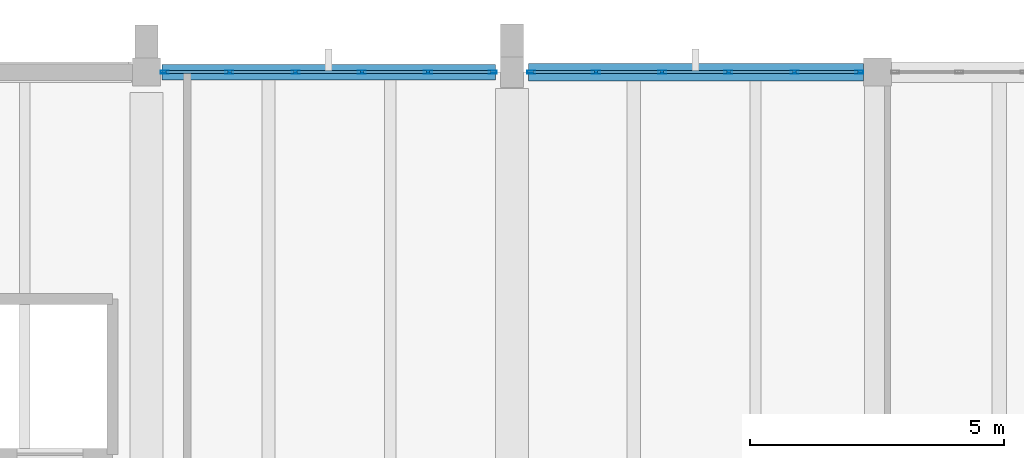
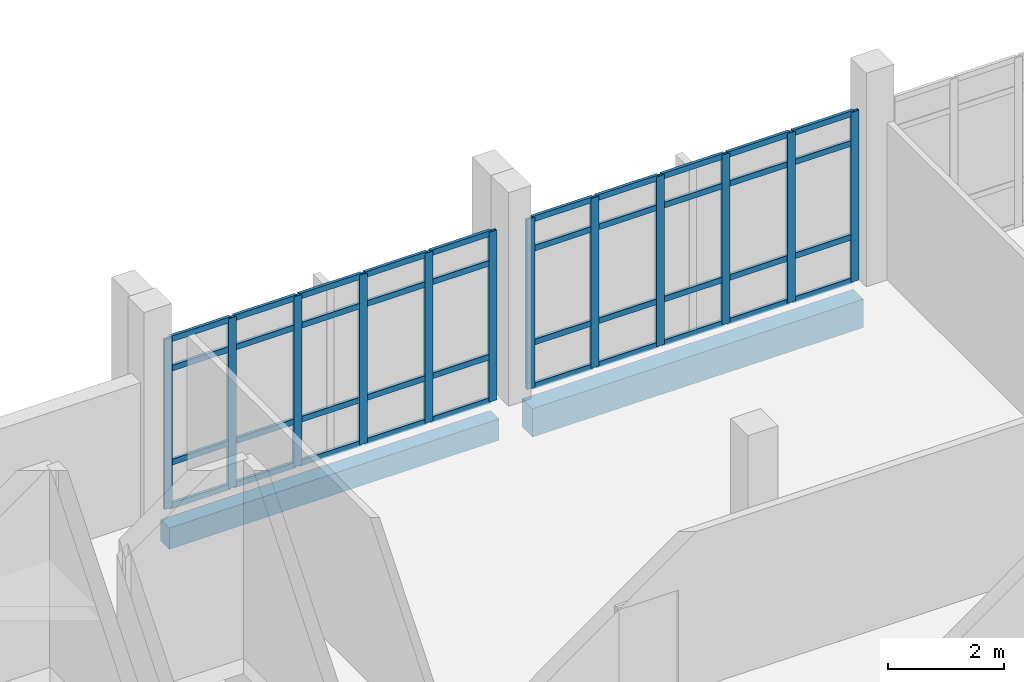
# One storey, part 42 of 62: 52 members, 2 beams, 2 elements without a shape of their own.
"""IFC4 building model written with IfcOpenShell, lengths in metres."""

from ifc_helpers import new_model, si_unit, direction, frame, origin, origin_2d, place, context, subcontext, project, spatial, rectangle, hollow_rectangle, extrude, material, material_profile, profile_set, type_object, element, aggregate, save


model = new_model("IFC4")

# Units and contexts
model_context = context("Model", 3, precision=1e-05, world=origin(), true_north=direction((0.0, 1.0)))
body_context = subcontext(model_context, "Body", "Model", "MODEL_VIEW")
ifc_project = project(units=[si_unit("LENGTHUNIT", "METRE"), si_unit("AREAUNIT", "SQUARE_METRE"), si_unit("VOLUMEUNIT", "CUBIC_METRE"), si_unit("PLANEANGLEUNIT", "RADIAN"), si_unit("MASSUNIT", "GRAM", prefix="KILO")], contexts=[model_context])

# Site, building, storey
site_placement = place(None, origin())
site = spatial("IfcSite", under=ifc_project, at=site_placement, CompositionType="ELEMENT")
building_placement = place(site_placement, origin())
building = spatial("IfcBuilding", under=site, at=building_placement, Name="Kalluvel Institute of Natural Sciences", CompositionType="ELEMENT")
storey_placement = place(building_placement, frame((0.0, 0.0, 27.89990234375)))
storey = spatial("IfcBuildingStorey", under=building, at=storey_placement, Name="L06", CompositionType="ELEMENT", Elevation=27.89990234375)

# Curtain wall, members
ifc_material_1 = material(Name="Aluminium AW-6063 T6", Category="aluminium")
curtain_wall_type = type_object("IfcCurtainWallType", Name="CW-WET-45", PredefinedType="USERDEFINED", material=ifc_material_1)
curtain_wall_1_placement = place(storey_placement, origin())
curtain_wall_1 = element("IfcCurtainWall", 1, at=curtain_wall_1_placement, inside=storey, type_object=curtain_wall_type, Name="L06 Gothic lancet curtain wall CWA-L06-X791-Y1280", ObjectType="UNITISED LANCET FACADE", PredefinedType="USERDEFINED")
ifc_material_profile_1 = material_profile(ifc_material_1, hollow_rectangle(XDim=0.06005859375, YDim=0.159912109375, WallThickness=0.00390625, at=origin_2d()), Name="CWM 60x160")
ifc_profile_set_1 = profile_set([ifc_material_profile_1], Name="Aluminium AW-6063 T6")
member_type_1 = type_object("IfcMemberType", Name="CWM-60x160", PredefinedType="MULLION", material=ifc_profile_set_1)
member_1_placement = place(storey_placement, frame((79.155029296875, 128.0, 0.0), z_axis=(0.0, 0.0, 1.0), x_axis=(0.0, 1.0, 0.0)))
member_1 = element("IfcMember", 2, at=member_1_placement, type_object=member_type_1, Name="CW-01 mullion 1", PredefinedType="MULLION", context=body_context, shape_type="SweptSolid", body=[
    extrude(hollow_rectangle(XDim=0.06005859375, YDim=0.159912109375, WallThickness=0.00390625, at=origin_2d()), origin(), (0.0, 0.0, 1.0), 3.580078125),
])
member_2_placement = place(storey_placement, frame((80.429931640625, 128.0, 0.0), z_axis=(0.0, 0.0, 1.0), x_axis=(0.0, 1.0, 0.0)))
member_2 = element("IfcMember", 3, at=member_2_placement, type_object=member_type_1, Name="CW-01 mullion 2", PredefinedType="MULLION", context=body_context, shape_type="SweptSolid", body=[
    extrude(hollow_rectangle(XDim=0.06005859375, YDim=0.159912109375, WallThickness=0.00390625, at=origin_2d()), origin(), (0.0, 0.0, 1.0), 3.580078125),
])
member_3_placement = place(storey_placement, frame((81.735107421875, 128.0, 0.0), z_axis=(0.0, 0.0, 1.0), x_axis=(0.0, 1.0, 0.0)))
member_3 = element("IfcMember", 4, at=member_3_placement, type_object=member_type_1, Name="CW-01 mullion 3", PredefinedType="MULLION", context=body_context, shape_type="SweptSolid", body=[
    extrude(hollow_rectangle(XDim=0.06005859375, YDim=0.159912109375, WallThickness=0.00390625, at=origin_2d()), origin(), (0.0, 0.0, 1.0), 3.580078125),
])
member_4_placement = place(storey_placement, frame((83.0400390625, 128.0, 0.0), z_axis=(0.0, 0.0, 1.0), x_axis=(0.0, 1.0, 0.0)))
member_4 = element("IfcMember", 5, at=member_4_placement, type_object=member_type_1, Name="CW-01 mullion 4", PredefinedType="MULLION", context=body_context, shape_type="SweptSolid", body=[
    extrude(hollow_rectangle(XDim=0.06005859375, YDim=0.159912109375, WallThickness=0.00390625, at=origin_2d()), origin(), (0.0, 0.0, 1.0), 3.580078125),
])
member_5_placement = place(storey_placement, frame((84.344970703125, 128.0, 0.0), z_axis=(0.0, 0.0, 1.0), x_axis=(0.0, 1.0, 0.0)))
member_5 = element("IfcMember", 6, at=member_5_placement, type_object=member_type_1, Name="CW-01 mullion 5", PredefinedType="MULLION", context=body_context, shape_type="SweptSolid", body=[
    extrude(hollow_rectangle(XDim=0.06005859375, YDim=0.159912109375, WallThickness=0.00390625, at=origin_2d()), origin(), (0.0, 0.0, 1.0), 3.580078125),
])
member_6_placement = place(storey_placement, frame((85.6201171875, 128.0, 0.0), z_axis=(0.0, 0.0, 1.0), x_axis=(0.0, 1.0, 0.0)))
member_6 = element("IfcMember", 7, at=member_6_placement, type_object=member_type_1, Name="CW-01 mullion 6", PredefinedType="MULLION", context=body_context, shape_type="SweptSolid", body=[
    extrude(hollow_rectangle(XDim=0.06005859375, YDim=0.159912109375, WallThickness=0.00390625, at=origin_2d()), origin(), (0.0, 0.0, 1.0), 3.580078125),
])

curtain_wall_2_placement = place(storey_placement, origin())
curtain_wall_2 = element("IfcCurtainWall", 8, at=curtain_wall_2_placement, inside=storey, type_object=curtain_wall_type, Name="L06 Gothic lancet curtain wall CWA-L06-X864-Y1280", ObjectType="UNITISED LANCET FACADE", PredefinedType="USERDEFINED")
member_7_placement = place(storey_placement, frame((86.3798828125, 128.0, 0.0), z_axis=(0.0, 0.0, 1.0), x_axis=(0.0, 1.0, 0.0)))
member_7 = element("IfcMember", 9, at=member_7_placement, type_object=member_type_1, Name="CW-01 mullion 1", PredefinedType="MULLION", context=body_context, shape_type="SweptSolid", body=[
    extrude(hollow_rectangle(XDim=0.06005859375, YDim=0.159912109375, WallThickness=0.00390625, at=origin_2d()), origin(), (0.0, 0.0, 1.0), 3.580078125),
])
member_8_placement = place(storey_placement, frame((87.655029296875, 128.0, 0.0), z_axis=(0.0, 0.0, 1.0), x_axis=(0.0, 1.0, 0.0)))
member_8 = element("IfcMember", 10, at=member_8_placement, type_object=member_type_1, Name="CW-01 mullion 2", PredefinedType="MULLION", context=body_context, shape_type="SweptSolid", body=[
    extrude(hollow_rectangle(XDim=0.06005859375, YDim=0.159912109375, WallThickness=0.00390625, at=origin_2d()), origin(), (0.0, 0.0, 1.0), 3.580078125),
])
member_9_placement = place(storey_placement, frame((88.9599609375, 128.0, 0.0), z_axis=(0.0, 0.0, 1.0), x_axis=(0.0, 1.0, 0.0)))
member_9 = element("IfcMember", 11, at=member_9_placement, type_object=member_type_1, Name="CW-01 mullion 3", PredefinedType="MULLION", context=body_context, shape_type="SweptSolid", body=[
    extrude(hollow_rectangle(XDim=0.06005859375, YDim=0.159912109375, WallThickness=0.00390625, at=origin_2d()), origin(), (0.0, 0.0, 1.0), 3.580078125),
])
member_10_placement = place(storey_placement, frame((90.264892578125, 128.0, 0.0), z_axis=(0.0, 0.0, 1.0), x_axis=(0.0, 1.0, 0.0)))
member_10 = element("IfcMember", 12, at=member_10_placement, type_object=member_type_1, Name="CW-01 mullion 4", PredefinedType="MULLION", context=body_context, shape_type="SweptSolid", body=[
    extrude(hollow_rectangle(XDim=0.06005859375, YDim=0.159912109375, WallThickness=0.00390625, at=origin_2d()), origin(), (0.0, 0.0, 1.0), 3.580078125),
])
member_11_placement = place(storey_placement, frame((91.570068359375, 128.0, 0.0), z_axis=(0.0, 0.0, 1.0), x_axis=(0.0, 1.0, 0.0)))
member_11 = element("IfcMember", 13, at=member_11_placement, type_object=member_type_1, Name="CW-01 mullion 5", PredefinedType="MULLION", context=body_context, shape_type="SweptSolid", body=[
    extrude(hollow_rectangle(XDim=0.06005859375, YDim=0.159912109375, WallThickness=0.00390625, at=origin_2d()), origin(), (0.0, 0.0, 1.0), 3.580078125),
])
member_12_placement = place(storey_placement, frame((92.844970703125, 128.0, 0.0), z_axis=(0.0, 0.0, 1.0), x_axis=(0.0, 1.0, 0.0)))
member_12 = element("IfcMember", 14, at=member_12_placement, type_object=member_type_1, Name="CW-01 mullion 6", PredefinedType="MULLION", context=body_context, shape_type="SweptSolid", body=[
    extrude(hollow_rectangle(XDim=0.06005859375, YDim=0.159912109375, WallThickness=0.00390625, at=origin_2d()), origin(), (0.0, 0.0, 1.0), 3.580078125),
])

# Member
ifc_material_profile_2 = material_profile(ifc_material_1, hollow_rectangle(XDim=0.06005859375, YDim=0.1201171875, WallThickness=0.00390625, at=origin_2d()), Name="CWT 60x120")
ifc_profile_set_2 = profile_set([ifc_material_profile_2], Name="Aluminium AW-6063 T6")
member_type_2 = type_object("IfcMemberType", Name="CWT-60x120", PredefinedType="USERDEFINED", material=ifc_profile_set_2)
member_13_placement = place(storey_placement, frame((79.18505859375, 128.0, 0.030029296875), z_axis=(1.0, 0.0, 0.0), x_axis=(0.0, 1.0, 0.0)))
member_13 = element("IfcMember", 15, at=member_13_placement, type_object=member_type_2, Name="CW-01 transom 1.1", ObjectType="TRANSOM", PredefinedType="USERDEFINED", context=body_context, shape_type="SweptSolid", body=[
    extrude(hollow_rectangle(XDim=0.06005859375, YDim=0.1201171875, WallThickness=0.00390625, at=origin_2d()), origin(), (0.0, 0.0, 1.0), 1.21484375),
])

member_14_placement = place(storey_placement, frame((79.18505859375, 128.0, 0.9501953125), z_axis=(1.0, 0.0, 0.0), x_axis=(0.0, 1.0, 0.0)))
member_14 = element("IfcMember", 16, at=member_14_placement, type_object=member_type_2, Name="CW-01 transom 1.2", ObjectType="TRANSOM", PredefinedType="USERDEFINED", context=body_context, shape_type="SweptSolid", body=[
    extrude(hollow_rectangle(XDim=0.06005859375, YDim=0.1201171875, WallThickness=0.00390625, at=origin_2d()), origin(), (0.0, 0.0, 1.0), 1.21484375),
])

member_15_placement = place(storey_placement, frame((79.18505859375, 128.0, 2.93017578125), z_axis=(1.0, 0.0, 0.0), x_axis=(0.0, 1.0, 0.0)))
member_15 = element("IfcMember", 17, at=member_15_placement, type_object=member_type_2, Name="CW-01 transom 1.3", ObjectType="TRANSOM", PredefinedType="USERDEFINED", context=body_context, shape_type="SweptSolid", body=[
    extrude(hollow_rectangle(XDim=0.06005859375, YDim=0.1201171875, WallThickness=0.00390625, at=origin_2d()), origin(), (0.0, 0.0, 1.0), 1.21484375),
])

member_16_placement = place(storey_placement, frame((79.18505859375, 128.0, 3.550048828125), z_axis=(1.0, 0.0, 0.0), x_axis=(0.0, 1.0, 0.0)))
member_16 = element("IfcMember", 18, at=member_16_placement, type_object=member_type_2, Name="CW-01 transom 1.4", ObjectType="TRANSOM", PredefinedType="USERDEFINED", context=body_context, shape_type="SweptSolid", body=[
    extrude(hollow_rectangle(XDim=0.06005859375, YDim=0.1201171875, WallThickness=0.00390625, at=origin_2d()), origin(), (0.0, 0.0, 1.0), 1.21484375),
])

member_17_placement = place(storey_placement, frame((80.4599609375, 128.0, 0.030029296875), z_axis=(1.0, 0.0, 0.0), x_axis=(0.0, 1.0, 0.0)))
member_17 = element("IfcMember", 19, at=member_17_placement, type_object=member_type_2, Name="CW-01 transom 2.1", ObjectType="TRANSOM", PredefinedType="USERDEFINED", context=body_context, shape_type="SweptSolid", body=[
    extrude(hollow_rectangle(XDim=0.06005859375, YDim=0.1201171875, WallThickness=0.00390625, at=origin_2d()), origin(), (0.0, 0.0, 1.0), 1.2451171875),
])

member_18_placement = place(storey_placement, frame((80.4599609375, 128.0, 0.9501953125), z_axis=(1.0, 0.0, 0.0), x_axis=(0.0, 1.0, 0.0)))
member_18 = element("IfcMember", 20, at=member_18_placement, type_object=member_type_2, Name="CW-01 transom 2.2", ObjectType="TRANSOM", PredefinedType="USERDEFINED", context=body_context, shape_type="SweptSolid", body=[
    extrude(hollow_rectangle(XDim=0.06005859375, YDim=0.1201171875, WallThickness=0.00390625, at=origin_2d()), origin(), (0.0, 0.0, 1.0), 1.2451171875),
])

member_19_placement = place(storey_placement, frame((80.4599609375, 128.0, 2.93017578125), z_axis=(1.0, 0.0, 0.0), x_axis=(0.0, 1.0, 0.0)))
member_19 = element("IfcMember", 21, at=member_19_placement, type_object=member_type_2, Name="CW-01 transom 2.3", ObjectType="TRANSOM", PredefinedType="USERDEFINED", context=body_context, shape_type="SweptSolid", body=[
    extrude(hollow_rectangle(XDim=0.06005859375, YDim=0.1201171875, WallThickness=0.00390625, at=origin_2d()), origin(), (0.0, 0.0, 1.0), 1.2451171875),
])

member_20_placement = place(storey_placement, frame((80.4599609375, 128.0, 3.550048828125), z_axis=(1.0, 0.0, 0.0), x_axis=(0.0, 1.0, 0.0)))
member_20 = element("IfcMember", 22, at=member_20_placement, type_object=member_type_2, Name="CW-01 transom 2.4", ObjectType="TRANSOM", PredefinedType="USERDEFINED", context=body_context, shape_type="SweptSolid", body=[
    extrude(hollow_rectangle(XDim=0.06005859375, YDim=0.1201171875, WallThickness=0.00390625, at=origin_2d()), origin(), (0.0, 0.0, 1.0), 1.2451171875),
])

member_21_placement = place(storey_placement, frame((81.764892578125, 128.0, 0.030029296875), z_axis=(1.0, 0.0, 0.0), x_axis=(0.0, 1.0, 0.0)))
member_21 = element("IfcMember", 23, at=member_21_placement, type_object=member_type_2, Name="CW-01 transom 3.1", ObjectType="TRANSOM", PredefinedType="USERDEFINED", context=body_context, shape_type="SweptSolid", body=[
    extrude(hollow_rectangle(XDim=0.06005859375, YDim=0.1201171875, WallThickness=0.00390625, at=origin_2d()), origin(), (0.0, 0.0, 1.0), 1.2451171875),
])

member_22_placement = place(storey_placement, frame((81.764892578125, 128.0, 0.9501953125), z_axis=(1.0, 0.0, 0.0), x_axis=(0.0, 1.0, 0.0)))
member_22 = element("IfcMember", 24, at=member_22_placement, type_object=member_type_2, Name="CW-01 transom 3.2", ObjectType="TRANSOM", PredefinedType="USERDEFINED", context=body_context, shape_type="SweptSolid", body=[
    extrude(hollow_rectangle(XDim=0.06005859375, YDim=0.1201171875, WallThickness=0.00390625, at=origin_2d()), origin(), (0.0, 0.0, 1.0), 1.2451171875),
])

member_23_placement = place(storey_placement, frame((81.764892578125, 128.0, 2.93017578125), z_axis=(1.0, 0.0, 0.0), x_axis=(0.0, 1.0, 0.0)))
member_23 = element("IfcMember", 25, at=member_23_placement, type_object=member_type_2, Name="CW-01 transom 3.3", ObjectType="TRANSOM", PredefinedType="USERDEFINED", context=body_context, shape_type="SweptSolid", body=[
    extrude(hollow_rectangle(XDim=0.06005859375, YDim=0.1201171875, WallThickness=0.00390625, at=origin_2d()), origin(), (0.0, 0.0, 1.0), 1.2451171875),
])

member_24_placement = place(storey_placement, frame((81.764892578125, 128.0, 3.550048828125), z_axis=(1.0, 0.0, 0.0), x_axis=(0.0, 1.0, 0.0)))
member_24 = element("IfcMember", 26, at=member_24_placement, type_object=member_type_2, Name="CW-01 transom 3.4", ObjectType="TRANSOM", PredefinedType="USERDEFINED", context=body_context, shape_type="SweptSolid", body=[
    extrude(hollow_rectangle(XDim=0.06005859375, YDim=0.1201171875, WallThickness=0.00390625, at=origin_2d()), origin(), (0.0, 0.0, 1.0), 1.2451171875),
])

member_25_placement = place(storey_placement, frame((83.070068359375, 128.0, 0.030029296875), z_axis=(1.0, 0.0, 0.0), x_axis=(0.0, 1.0, 0.0)))
member_25 = element("IfcMember", 27, at=member_25_placement, type_object=member_type_2, Name="CW-01 transom 4.1", ObjectType="TRANSOM", PredefinedType="USERDEFINED", context=body_context, shape_type="SweptSolid", body=[
    extrude(hollow_rectangle(XDim=0.06005859375, YDim=0.1201171875, WallThickness=0.00390625, at=origin_2d()), origin(), (0.0, 0.0, 1.0), 1.244873046875),
])

member_26_placement = place(storey_placement, frame((83.070068359375, 128.0, 0.9501953125), z_axis=(1.0, 0.0, 0.0), x_axis=(0.0, 1.0, 0.0)))
member_26 = element("IfcMember", 28, at=member_26_placement, type_object=member_type_2, Name="CW-01 transom 4.2", ObjectType="TRANSOM", PredefinedType="USERDEFINED", context=body_context, shape_type="SweptSolid", body=[
    extrude(hollow_rectangle(XDim=0.06005859375, YDim=0.1201171875, WallThickness=0.00390625, at=origin_2d()), origin(), (0.0, 0.0, 1.0), 1.244873046875),
])

member_27_placement = place(storey_placement, frame((83.070068359375, 128.0, 2.93017578125), z_axis=(1.0, 0.0, 0.0), x_axis=(0.0, 1.0, 0.0)))
member_27 = element("IfcMember", 29, at=member_27_placement, type_object=member_type_2, Name="CW-01 transom 4.3", ObjectType="TRANSOM", PredefinedType="USERDEFINED", context=body_context, shape_type="SweptSolid", body=[
    extrude(hollow_rectangle(XDim=0.06005859375, YDim=0.1201171875, WallThickness=0.00390625, at=origin_2d()), origin(), (0.0, 0.0, 1.0), 1.244873046875),
])

member_28_placement = place(storey_placement, frame((83.070068359375, 128.0, 3.550048828125), z_axis=(1.0, 0.0, 0.0), x_axis=(0.0, 1.0, 0.0)))
member_28 = element("IfcMember", 30, at=member_28_placement, type_object=member_type_2, Name="CW-01 transom 4.4", ObjectType="TRANSOM", PredefinedType="USERDEFINED", context=body_context, shape_type="SweptSolid", body=[
    extrude(hollow_rectangle(XDim=0.06005859375, YDim=0.1201171875, WallThickness=0.00390625, at=origin_2d()), origin(), (0.0, 0.0, 1.0), 1.244873046875),
])

member_29_placement = place(storey_placement, frame((84.375, 128.0, 0.030029296875), z_axis=(1.0, 0.0, 0.0), x_axis=(0.0, 1.0, 0.0)))
member_29 = element("IfcMember", 31, at=member_29_placement, type_object=member_type_2, Name="CW-01 transom 5.1", ObjectType="TRANSOM", PredefinedType="USERDEFINED", context=body_context, shape_type="SweptSolid", body=[
    extrude(hollow_rectangle(XDim=0.06005859375, YDim=0.1201171875, WallThickness=0.00390625, at=origin_2d()), origin(), (0.0, 0.0, 1.0), 1.215087890625),
])

member_30_placement = place(storey_placement, frame((84.375, 128.0, 0.9501953125), z_axis=(1.0, 0.0, 0.0), x_axis=(0.0, 1.0, 0.0)))
member_30 = element("IfcMember", 32, at=member_30_placement, type_object=member_type_2, Name="CW-01 transom 5.2", ObjectType="TRANSOM", PredefinedType="USERDEFINED", context=body_context, shape_type="SweptSolid", body=[
    extrude(hollow_rectangle(XDim=0.06005859375, YDim=0.1201171875, WallThickness=0.00390625, at=origin_2d()), origin(), (0.0, 0.0, 1.0), 1.215087890625),
])

member_31_placement = place(storey_placement, frame((84.375, 128.0, 2.93017578125), z_axis=(1.0, 0.0, 0.0), x_axis=(0.0, 1.0, 0.0)))
member_31 = element("IfcMember", 33, at=member_31_placement, type_object=member_type_2, Name="CW-01 transom 5.3", ObjectType="TRANSOM", PredefinedType="USERDEFINED", context=body_context, shape_type="SweptSolid", body=[
    extrude(hollow_rectangle(XDim=0.06005859375, YDim=0.1201171875, WallThickness=0.00390625, at=origin_2d()), origin(), (0.0, 0.0, 1.0), 1.215087890625),
])

member_32_placement = place(storey_placement, frame((84.375, 128.0, 3.550048828125), z_axis=(1.0, 0.0, 0.0), x_axis=(0.0, 1.0, 0.0)))
member_32 = element("IfcMember", 34, at=member_32_placement, type_object=member_type_2, Name="CW-01 transom 5.4", ObjectType="TRANSOM", PredefinedType="USERDEFINED", context=body_context, shape_type="SweptSolid", body=[
    extrude(hollow_rectangle(XDim=0.06005859375, YDim=0.1201171875, WallThickness=0.00390625, at=origin_2d()), origin(), (0.0, 0.0, 1.0), 1.215087890625),
])

aggregate(curtain_wall_1, [member_1, member_2, member_3, member_4, member_5, member_6, member_13, member_14, member_15, member_16, member_17, member_18, member_19, member_20, member_21, member_22, member_23, member_24, member_25, member_26, member_27, member_28, member_29, member_30, member_31, member_32])

member_33_placement = place(storey_placement, frame((86.409912109375, 128.0, 0.030029296875), z_axis=(1.0, 0.0, 0.0), x_axis=(0.0, 1.0, 0.0)))
member_33 = element("IfcMember", 35, at=member_33_placement, type_object=member_type_2, Name="CW-01 transom 1.1", ObjectType="TRANSOM", PredefinedType="USERDEFINED", context=body_context, shape_type="SweptSolid", body=[
    extrude(hollow_rectangle(XDim=0.06005859375, YDim=0.1201171875, WallThickness=0.00390625, at=origin_2d()), origin(), (0.0, 0.0, 1.0), 1.215087890625),
])

member_34_placement = place(storey_placement, frame((86.409912109375, 128.0, 0.9501953125), z_axis=(1.0, 0.0, 0.0), x_axis=(0.0, 1.0, 0.0)))
member_34 = element("IfcMember", 36, at=member_34_placement, type_object=member_type_2, Name="CW-01 transom 1.2", ObjectType="TRANSOM", PredefinedType="USERDEFINED", context=body_context, shape_type="SweptSolid", body=[
    extrude(hollow_rectangle(XDim=0.06005859375, YDim=0.1201171875, WallThickness=0.00390625, at=origin_2d()), origin(), (0.0, 0.0, 1.0), 1.215087890625),
])

member_35_placement = place(storey_placement, frame((86.409912109375, 128.0, 2.93017578125), z_axis=(1.0, 0.0, 0.0), x_axis=(0.0, 1.0, 0.0)))
member_35 = element("IfcMember", 37, at=member_35_placement, type_object=member_type_2, Name="CW-01 transom 1.3", ObjectType="TRANSOM", PredefinedType="USERDEFINED", context=body_context, shape_type="SweptSolid", body=[
    extrude(hollow_rectangle(XDim=0.06005859375, YDim=0.1201171875, WallThickness=0.00390625, at=origin_2d()), origin(), (0.0, 0.0, 1.0), 1.215087890625),
])

member_36_placement = place(storey_placement, frame((86.409912109375, 128.0, 3.550048828125), z_axis=(1.0, 0.0, 0.0), x_axis=(0.0, 1.0, 0.0)))
member_36 = element("IfcMember", 38, at=member_36_placement, type_object=member_type_2, Name="CW-01 transom 1.4", ObjectType="TRANSOM", PredefinedType="USERDEFINED", context=body_context, shape_type="SweptSolid", body=[
    extrude(hollow_rectangle(XDim=0.06005859375, YDim=0.1201171875, WallThickness=0.00390625, at=origin_2d()), origin(), (0.0, 0.0, 1.0), 1.215087890625),
])

member_37_placement = place(storey_placement, frame((87.68505859375, 128.0, 0.030029296875), z_axis=(1.0, 0.0, 0.0), x_axis=(0.0, 1.0, 0.0)))
member_37 = element("IfcMember", 39, at=member_37_placement, type_object=member_type_2, Name="CW-01 transom 2.1", ObjectType="TRANSOM", PredefinedType="USERDEFINED", context=body_context, shape_type="SweptSolid", body=[
    extrude(hollow_rectangle(XDim=0.06005859375, YDim=0.1201171875, WallThickness=0.00390625, at=origin_2d()), origin(), (0.0, 0.0, 1.0), 1.244873046875),
])

member_38_placement = place(storey_placement, frame((87.68505859375, 128.0, 0.9501953125), z_axis=(1.0, 0.0, 0.0), x_axis=(0.0, 1.0, 0.0)))
member_38 = element("IfcMember", 40, at=member_38_placement, type_object=member_type_2, Name="CW-01 transom 2.2", ObjectType="TRANSOM", PredefinedType="USERDEFINED", context=body_context, shape_type="SweptSolid", body=[
    extrude(hollow_rectangle(XDim=0.06005859375, YDim=0.1201171875, WallThickness=0.00390625, at=origin_2d()), origin(), (0.0, 0.0, 1.0), 1.244873046875),
])

member_39_placement = place(storey_placement, frame((87.68505859375, 128.0, 2.93017578125), z_axis=(1.0, 0.0, 0.0), x_axis=(0.0, 1.0, 0.0)))
member_39 = element("IfcMember", 41, at=member_39_placement, type_object=member_type_2, Name="CW-01 transom 2.3", ObjectType="TRANSOM", PredefinedType="USERDEFINED", context=body_context, shape_type="SweptSolid", body=[
    extrude(hollow_rectangle(XDim=0.06005859375, YDim=0.1201171875, WallThickness=0.00390625, at=origin_2d()), origin(), (0.0, 0.0, 1.0), 1.244873046875),
])

member_40_placement = place(storey_placement, frame((87.68505859375, 128.0, 3.550048828125), z_axis=(1.0, 0.0, 0.0), x_axis=(0.0, 1.0, 0.0)))
member_40 = element("IfcMember", 42, at=member_40_placement, type_object=member_type_2, Name="CW-01 transom 2.4", ObjectType="TRANSOM", PredefinedType="USERDEFINED", context=body_context, shape_type="SweptSolid", body=[
    extrude(hollow_rectangle(XDim=0.06005859375, YDim=0.1201171875, WallThickness=0.00390625, at=origin_2d()), origin(), (0.0, 0.0, 1.0), 1.244873046875),
])

member_41_placement = place(storey_placement, frame((88.989990234375, 128.0, 0.030029296875), z_axis=(1.0, 0.0, 0.0), x_axis=(0.0, 1.0, 0.0)))
member_41 = element("IfcMember", 43, at=member_41_placement, type_object=member_type_2, Name="CW-01 transom 3.1", ObjectType="TRANSOM", PredefinedType="USERDEFINED", context=body_context, shape_type="SweptSolid", body=[
    extrude(hollow_rectangle(XDim=0.06005859375, YDim=0.1201171875, WallThickness=0.00390625, at=origin_2d()), origin(), (0.0, 0.0, 1.0), 1.2451171875),
])

member_42_placement = place(storey_placement, frame((88.989990234375, 128.0, 0.9501953125), z_axis=(1.0, 0.0, 0.0), x_axis=(0.0, 1.0, 0.0)))
member_42 = element("IfcMember", 44, at=member_42_placement, type_object=member_type_2, Name="CW-01 transom 3.2", ObjectType="TRANSOM", PredefinedType="USERDEFINED", context=body_context, shape_type="SweptSolid", body=[
    extrude(hollow_rectangle(XDim=0.06005859375, YDim=0.1201171875, WallThickness=0.00390625, at=origin_2d()), origin(), (0.0, 0.0, 1.0), 1.2451171875),
])

member_43_placement = place(storey_placement, frame((88.989990234375, 128.0, 2.93017578125), z_axis=(1.0, 0.0, 0.0), x_axis=(0.0, 1.0, 0.0)))
member_43 = element("IfcMember", 45, at=member_43_placement, type_object=member_type_2, Name="CW-01 transom 3.3", ObjectType="TRANSOM", PredefinedType="USERDEFINED", context=body_context, shape_type="SweptSolid", body=[
    extrude(hollow_rectangle(XDim=0.06005859375, YDim=0.1201171875, WallThickness=0.00390625, at=origin_2d()), origin(), (0.0, 0.0, 1.0), 1.2451171875),
])

member_44_placement = place(storey_placement, frame((88.989990234375, 128.0, 3.550048828125), z_axis=(1.0, 0.0, 0.0), x_axis=(0.0, 1.0, 0.0)))
member_44 = element("IfcMember", 46, at=member_44_placement, type_object=member_type_2, Name="CW-01 transom 3.4", ObjectType="TRANSOM", PredefinedType="USERDEFINED", context=body_context, shape_type="SweptSolid", body=[
    extrude(hollow_rectangle(XDim=0.06005859375, YDim=0.1201171875, WallThickness=0.00390625, at=origin_2d()), origin(), (0.0, 0.0, 1.0), 1.2451171875),
])

member_45_placement = place(storey_placement, frame((90.294921875, 128.0, 0.030029296875), z_axis=(1.0, 0.0, 0.0), x_axis=(0.0, 1.0, 0.0)))
member_45 = element("IfcMember", 47, at=member_45_placement, type_object=member_type_2, Name="CW-01 transom 4.1", ObjectType="TRANSOM", PredefinedType="USERDEFINED", context=body_context, shape_type="SweptSolid", body=[
    extrude(hollow_rectangle(XDim=0.06005859375, YDim=0.1201171875, WallThickness=0.00390625, at=origin_2d()), origin(), (0.0, 0.0, 1.0), 1.2451171875),
])

member_46_placement = place(storey_placement, frame((90.294921875, 128.0, 0.9501953125), z_axis=(1.0, 0.0, 0.0), x_axis=(0.0, 1.0, 0.0)))
member_46 = element("IfcMember", 48, at=member_46_placement, type_object=member_type_2, Name="CW-01 transom 4.2", ObjectType="TRANSOM", PredefinedType="USERDEFINED", context=body_context, shape_type="SweptSolid", body=[
    extrude(hollow_rectangle(XDim=0.06005859375, YDim=0.1201171875, WallThickness=0.00390625, at=origin_2d()), origin(), (0.0, 0.0, 1.0), 1.2451171875),
])

member_47_placement = place(storey_placement, frame((90.294921875, 128.0, 2.93017578125), z_axis=(1.0, 0.0, 0.0), x_axis=(0.0, 1.0, 0.0)))
member_47 = element("IfcMember", 49, at=member_47_placement, type_object=member_type_2, Name="CW-01 transom 4.3", ObjectType="TRANSOM", PredefinedType="USERDEFINED", context=body_context, shape_type="SweptSolid", body=[
    extrude(hollow_rectangle(XDim=0.06005859375, YDim=0.1201171875, WallThickness=0.00390625, at=origin_2d()), origin(), (0.0, 0.0, 1.0), 1.2451171875),
])

member_48_placement = place(storey_placement, frame((90.294921875, 128.0, 3.550048828125), z_axis=(1.0, 0.0, 0.0), x_axis=(0.0, 1.0, 0.0)))
member_48 = element("IfcMember", 50, at=member_48_placement, type_object=member_type_2, Name="CW-01 transom 4.4", ObjectType="TRANSOM", PredefinedType="USERDEFINED", context=body_context, shape_type="SweptSolid", body=[
    extrude(hollow_rectangle(XDim=0.06005859375, YDim=0.1201171875, WallThickness=0.00390625, at=origin_2d()), origin(), (0.0, 0.0, 1.0), 1.2451171875),
])

member_49_placement = place(storey_placement, frame((91.60009765625, 128.0, 0.030029296875), z_axis=(1.0, 0.0, 0.0), x_axis=(0.0, 1.0, 0.0)))
member_49 = element("IfcMember", 51, at=member_49_placement, type_object=member_type_2, Name="CW-01 transom 5.1", ObjectType="TRANSOM", PredefinedType="USERDEFINED", context=body_context, shape_type="SweptSolid", body=[
    extrude(hollow_rectangle(XDim=0.06005859375, YDim=0.1201171875, WallThickness=0.00390625, at=origin_2d()), origin(), (0.0, 0.0, 1.0), 1.21484375),
])

member_50_placement = place(storey_placement, frame((91.60009765625, 128.0, 0.9501953125), z_axis=(1.0, 0.0, 0.0), x_axis=(0.0, 1.0, 0.0)))
member_50 = element("IfcMember", 52, at=member_50_placement, type_object=member_type_2, Name="CW-01 transom 5.2", ObjectType="TRANSOM", PredefinedType="USERDEFINED", context=body_context, shape_type="SweptSolid", body=[
    extrude(hollow_rectangle(XDim=0.06005859375, YDim=0.1201171875, WallThickness=0.00390625, at=origin_2d()), origin(), (0.0, 0.0, 1.0), 1.21484375),
])

member_51_placement = place(storey_placement, frame((91.60009765625, 128.0, 2.93017578125), z_axis=(1.0, 0.0, 0.0), x_axis=(0.0, 1.0, 0.0)))
member_51 = element("IfcMember", 53, at=member_51_placement, type_object=member_type_2, Name="CW-01 transom 5.3", ObjectType="TRANSOM", PredefinedType="USERDEFINED", context=body_context, shape_type="SweptSolid", body=[
    extrude(hollow_rectangle(XDim=0.06005859375, YDim=0.1201171875, WallThickness=0.00390625, at=origin_2d()), origin(), (0.0, 0.0, 1.0), 1.21484375),
])

member_52_placement = place(storey_placement, frame((91.60009765625, 128.0, 3.550048828125), z_axis=(1.0, 0.0, 0.0), x_axis=(0.0, 1.0, 0.0)))
member_52 = element("IfcMember", 54, at=member_52_placement, type_object=member_type_2, Name="CW-01 transom 5.4", ObjectType="TRANSOM", PredefinedType="USERDEFINED", context=body_context, shape_type="SweptSolid", body=[
    extrude(hollow_rectangle(XDim=0.06005859375, YDim=0.1201171875, WallThickness=0.00390625, at=origin_2d()), origin(), (0.0, 0.0, 1.0), 1.21484375),
])

aggregate(curtain_wall_2, [member_7, member_8, member_9, member_10, member_11, member_12, member_33, member_34, member_35, member_36, member_37, member_38, member_39, member_40, member_41, member_42, member_43, member_44, member_45, member_46, member_47, member_48, member_49, member_50, member_51, member_52])

# Beams
ifc_material_2 = material(Name="Concrete M40", Category="concrete")
ifc_material_profile_3 = material_profile(ifc_material_2, rectangle(XDim=0.300048828125, YDim=0.449951171875, at=origin_2d()), Name="RCB 300x450")
ifc_profile_set_3 = profile_set([ifc_material_profile_3], Name="Concrete M40")
beam_type_1 = type_object("IfcBeamType", Name="SP-RC300x450", PredefinedType="SPANDREL", material=ifc_profile_set_3)
beam_1_placement = place(storey_placement, frame((79.10009765625, 128.0, -0.544921875), z_axis=(1.0, 0.0, 0.0), x_axis=(0.0, 1.0, 0.0)))
element("IfcBeam", 55, at=beam_1_placement, inside=storey, type_object=beam_type_1, Name="L06 girder GIR-L06-EW-X788-Y1280", PredefinedType="SPANDREL", context=body_context, shape_type="SweptSolid", body=[
    extrude(rectangle(XDim=0.300048828125, YDim=0.449951171875, at=origin_2d()), origin(), (0.0, 0.0, 1.0), 6.574951171875),
])
ifc_material_profile_4 = material_profile(ifc_material_2, rectangle(XDim=0.35009765625, YDim=0.60009765625, at=origin_2d()), Name="RCB 350x600")
ifc_profile_set_4 = profile_set([ifc_material_profile_4], Name="Concrete M40")
beam_type_2 = type_object("IfcBeamType", Name="SP-RC350x600", PredefinedType="SPANDREL", material=ifc_profile_set_4)
beam_2_placement = place(storey_placement, frame((86.324951171875, 128.0, -0.619873046875), z_axis=(1.0, 0.0, 0.0), x_axis=(0.0, 1.0, 0.0)))
element("IfcBeam", 56, at=beam_2_placement, inside=storey, type_object=beam_type_2, Name="L06 girder GIR-L06-EW-X860-Y1280", PredefinedType="SPANDREL", context=body_context, shape_type="SweptSolid", body=[
    extrude(rectangle(XDim=0.35009765625, YDim=0.60009765625, at=origin_2d()), origin(), (0.0, 0.0, 1.0), 6.60009765625),
])

save(model, "model.ifc")
